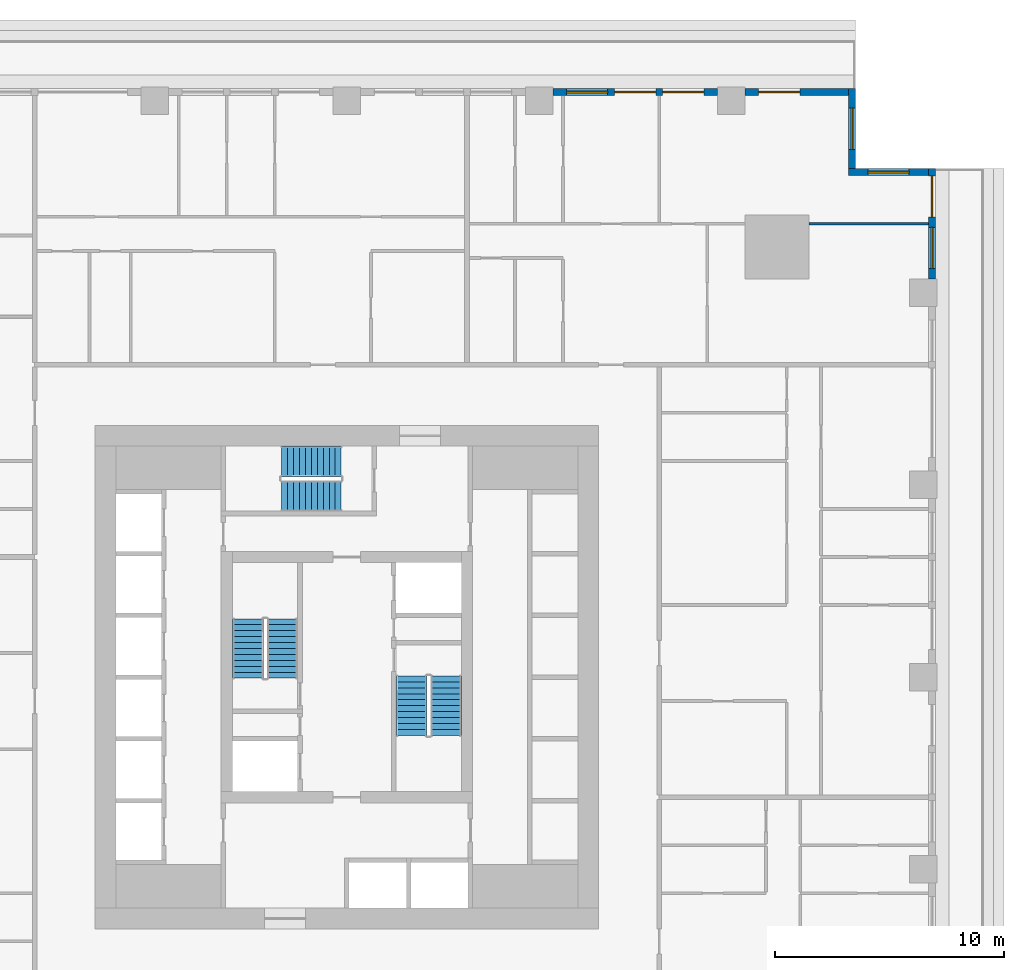
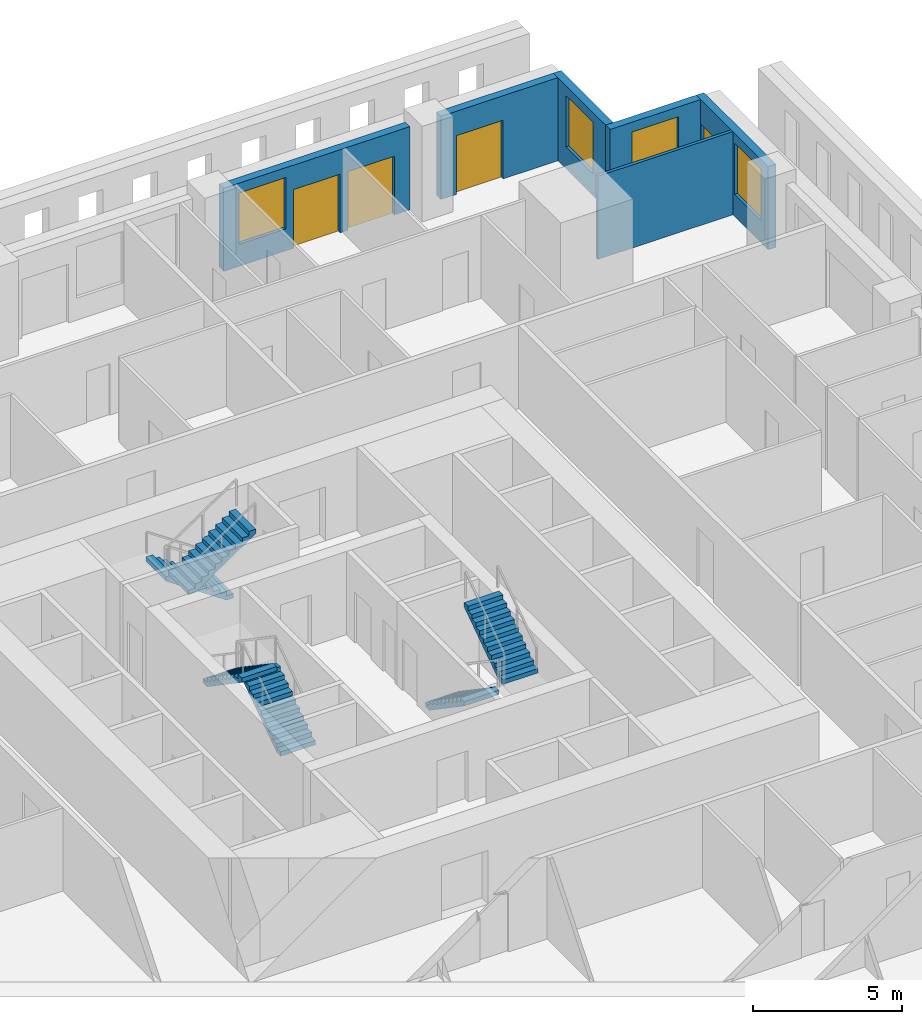
# One storey, part 9 of 14: 6 stair flights, 6 walls, 4 doors, 4 windows, 8 openings, 3 elements without a shape of their own.
"""IFC4 building model written with IfcOpenShell, lengths in metres."""

from ifc_helpers import new_model, si_unit, direction, frame, frame_2d, origin, place, context, subcontext, project, spatial, polyline, rectangle, outline, extrude, material, layer, layer_set, type_object, element, fill, aggregate, save


model = new_model("IFC4")

# Units and contexts
model_context = context("Model", 3, precision=1e-05, world=origin(), true_north=direction((0.0, 1.0)))
body_context = subcontext(model_context, "Body", "Model", "MODEL_VIEW")
ifc_project = project(units=[si_unit("LENGTHUNIT", "METRE"), si_unit("AREAUNIT", "SQUARE_METRE"), si_unit("VOLUMEUNIT", "CUBIC_METRE"), si_unit("PLANEANGLEUNIT", "RADIAN"), si_unit("MASSUNIT", "GRAM", prefix="KILO")], contexts=[model_context])

# Site, building, storey
site_placement = place(None, origin())
site = spatial("IfcSite", under=ifc_project, at=site_placement, CompositionType="ELEMENT")
building_placement = place(site_placement, origin())
building = spatial("IfcBuilding", under=site, at=building_placement, Name="Khepri Terraces", CompositionType="ELEMENT")
storey_placement = place(building_placement, frame((0.0, 0.0, 122.10009765625)))
storey = spatial("IfcBuildingStorey", under=building, at=storey_placement, Name="L29", CompositionType="ELEMENT", Elevation=122.10009765625)

# Wall, openings, door, window
ifc_material_1 = material(Name="Precast concrete C50/60 warm stone", Category="masonry")
ifc_layer_1 = layer(ifc_material_1, 0.300048828125, Name="Precast concrete C50/60 warm stone", Category="masonry")
ifc_layer_set_1 = layer_set([ifc_layer_1], Name="Precast concrete C50/60 warm stone")
wall_type_1 = type_object("IfcWallType", Name="WL-EXT-PRECAST-300", PredefinedType="STANDARD", material=ifc_layer_set_1)
wall_1_placement = place(storey_placement, frame((25.570068359375, 17.39990234375, 0.0), z_axis=(0.0, 0.0, 1.0), x_axis=(0.0, 1.0, 0.0)))
wall_1 = element("IfcWall", 1, at=wall_1_placement, inside=storey, type_object=wall_type_1, Name="External wall L29 E", PredefinedType="STANDARD", context=body_context, shape_type="SweptSolid", body=[
    extrude(rectangle(XDim=4.820068359375, YDim=0.300048828125, at=frame_2d((2.41015625, 0.0))), origin(), (0.0, 0.0, 1.0), 3.39990234375),
])
opening_1_placement = place(wall_1_placement, frame((2.699951171875, 0.0, 0.0)))
opening_1 = element("IfcOpeningElement", 2, at=opening_1_placement, cuts=wall_1, Name="Opening ED-L29-07", PredefinedType="OPENING", context=body_context, shape_type="SweptSolid", body=[
    extrude(rectangle(XDim=1.800048828125, YDim=2.39990234375, at=frame_2d((0.89990234375, 1.199951171875))), frame((0.0, 0.16015625, 0.0), z_axis=(0.0, -1.0, 0.0), x_axis=(1.0, 0.0, 0.0)), (0.0, 0.0, 1.0), 0.320068359375),
])
opening_2_placement = place(wall_1_placement, frame((0.4599609375, 0.0, 0.89990234375)))
opening_2 = element("IfcOpeningElement", 3, at=opening_2_placement, cuts=wall_1, Name="Opening W1", PredefinedType="OPENING", context=body_context, shape_type="SweptSolid", body=[
    extrude(rectangle(XDim=1.800048828125, YDim=2.10009765625, at=frame_2d((0.89990234375, 1.050048828125))), frame((0.0, 0.16015625, 0.0), z_axis=(0.0, -1.0, 0.0), x_axis=(1.0, 0.0, 0.0)), (0.0, 0.0, 1.0), 0.320068359375),
])
ifc_material_2 = material(Name="Anodised aluminium bronze glazed door", Category="aluminium")
door_type = type_object("IfcDoorType", Name="DR-BAL-SLIDE-1800x2400", OperationType="NOTDEFINED", PredefinedType="DOOR", material=ifc_material_2)
door_1_placement = place(opening_1_placement, origin())
door_1 = element("IfcDoor", 4, at=door_1_placement, inside=storey, type_object=door_type, Name="Balcony door L29 E", OperationType="SLIDING_TO_LEFT", OverallHeight=2.39990234375, OverallWidth=1.800048828125, PredefinedType="DOOR", context=body_context, shape_type="SweptSolid", body=[
    extrude(rectangle(XDim=1.800048828125, YDim=2.39990234375, at=frame_2d((0.89990234375, 1.199951171875))), frame((0.0, 0.02490234375, 0.0), z_axis=(0.0, -1.0, 0.0), x_axis=(1.0, 0.0, 0.0)), (0.0, 0.0, 1.0), 0.050048828125),
])
fill(opening_1, door_1)
ifc_material_3 = material(Name="Clear glass", Category="glass")
window_type = type_object("IfcWindowType", Name="WIN-RES-1800x2100", PartitioningType="SINGLE_PANEL", PredefinedType="WINDOW", material=ifc_material_3)
window_1_placement = place(opening_2_placement, origin())
window_1 = element("IfcWindow", 5, at=window_1_placement, inside=storey, type_object=window_type, Name="Window L29 E", OverallHeight=2.10009765625, OverallWidth=1.800048828125, PartitioningType="SINGLE_PANEL", PredefinedType="WINDOW", context=body_context, shape_type="SweptSolid", body=[
    extrude(rectangle(XDim=1.800048828125, YDim=2.10009765625, at=frame_2d((0.89990234375, 1.050048828125))), frame((0.0, 0.030029296875, 0.0), z_axis=(0.0, -1.0, 0.0), x_axis=(1.0, 0.0, 0.0)), (0.0, 0.0, 1.0), 0.06005859375),
])
fill(opening_2, window_1)

# Wall, opening, window
wall_2_placement = place(storey_placement, frame((25.419921875, 22.070068359375, 0.0), z_axis=(0.0, 0.0, 1.0), x_axis=(-1.0, 0.0, 0.0)))
wall_2 = element("IfcWall", 6, at=wall_2_placement, inside=storey, type_object=wall_type_1, Name="External wall L29 N", PredefinedType="STANDARD", context=body_context, shape_type="SweptSolid", body=[
    extrude(rectangle(XDim=3.5, YDim=0.300048828125, at=frame_2d((1.75, 0.0))), origin(), (0.0, 0.0, 1.0), 3.39990234375),
])
opening_3_placement = place(wall_2_placement, frame((0.85009765625, 0.0, 0.89990234375)))
opening_3 = element("IfcOpeningElement", 7, at=opening_3_placement, cuts=wall_2, Name="Opening W1", PredefinedType="OPENING", context=body_context, shape_type="SweptSolid", body=[
    extrude(rectangle(XDim=1.800048828125, YDim=2.10009765625, at=frame_2d((0.89990234375, 1.050048828125))), frame((0.0, 0.16015625, 0.0), z_axis=(0.0, -1.0, 0.0), x_axis=(1.0, 0.0, 0.0)), (0.0, 0.0, 1.0), 0.320068359375),
])
window_2_placement = place(opening_3_placement, origin())
window_2 = element("IfcWindow", 8, at=window_2_placement, inside=storey, type_object=window_type, Name="Window L29 N", OverallHeight=2.10009765625, OverallWidth=1.800048828125, PartitioningType="SINGLE_PANEL", PredefinedType="WINDOW", context=body_context, shape_type="SweptSolid", body=[
    extrude(rectangle(XDim=1.800048828125, YDim=2.10009765625, at=frame_2d((0.89990234375, 1.050048828125))), frame((0.0, 0.030029296875, 0.0), z_axis=(0.0, -1.0, 0.0), x_axis=(1.0, 0.0, 0.0)), (0.0, 0.0, 1.0), 0.06005859375),
])
fill(opening_3, window_2)

wall_3_placement = place(storey_placement, frame((22.070068359375, 22.219970703125, 0.0), z_axis=(0.0, 0.0, 1.0), x_axis=(0.0, 1.0, 0.0)))
wall_3 = element("IfcWall", 9, at=wall_3_placement, inside=storey, type_object=wall_type_1, Name="External wall L29 E", PredefinedType="STANDARD", context=body_context, shape_type="SweptSolid", body=[
    extrude(rectangle(XDim=3.5, YDim=0.300048828125, at=frame_2d((1.75, 0.0))), origin(), (0.0, 0.0, 1.0), 3.39990234375),
])
opening_4_placement = place(wall_3_placement, frame((0.85009765625, 0.0, 0.89990234375)))
opening_4 = element("IfcOpeningElement", 10, at=opening_4_placement, cuts=wall_3, Name="Opening W1", PredefinedType="OPENING", context=body_context, shape_type="SweptSolid", body=[
    extrude(rectangle(XDim=1.800048828125, YDim=2.10009765625, at=frame_2d((0.89990234375, 1.050048828125))), frame((0.0, 0.16015625, 0.0), z_axis=(0.0, -1.0, 0.0), x_axis=(1.0, 0.0, 0.0)), (0.0, 0.0, 1.0), 0.320068359375),
])
window_3_placement = place(opening_4_placement, origin())
window_3 = element("IfcWindow", 11, at=window_3_placement, inside=storey, type_object=window_type, Name="Window L29 E", OverallHeight=2.10009765625, OverallWidth=1.800048828125, PartitioningType="SINGLE_PANEL", PredefinedType="WINDOW", context=body_context, shape_type="SweptSolid", body=[
    extrude(rectangle(XDim=1.800048828125, YDim=2.10009765625, at=frame_2d((0.89990234375, 1.050048828125))), frame((0.0, 0.030029296875, 0.0), z_axis=(0.0, -1.0, 0.0), x_axis=(1.0, 0.0, 0.0)), (0.0, 0.0, 1.0), 0.06005859375),
])
fill(opening_4, window_3)

# Wall, opening, door
wall_4_placement = place(storey_placement, frame((21.919921875, 25.570068359375, 0.0), z_axis=(0.0, 0.0, 1.0), x_axis=(-1.0, 0.0, 0.0)))
wall_4 = element("IfcWall", 12, at=wall_4_placement, inside=storey, type_object=wall_type_1, Name="External wall L29 N", PredefinedType="STANDARD", context=body_context, shape_type="SweptSolid", body=[
    extrude(rectangle(XDim=4.52001953125, YDim=0.300048828125, at=frame_2d((2.260009765625, 0.0))), origin(), (0.0, 0.0, 1.0), 3.39990234375),
])
opening_5_placement = place(wall_4_placement, frame((2.1201171875, 0.0, 0.0)))
opening_5 = element("IfcOpeningElement", 13, at=opening_5_placement, cuts=wall_4, Name="Opening ED-L29-08", PredefinedType="OPENING", context=body_context, shape_type="SweptSolid", body=[
    extrude(rectangle(XDim=1.800048828125, YDim=2.39990234375, at=frame_2d((0.89990234375, 1.199951171875))), frame((0.0, 0.16015625, 0.0), z_axis=(0.0, -1.0, 0.0), x_axis=(1.0, 0.0, 0.0)), (0.0, 0.0, 1.0), 0.320068359375),
])
door_2_placement = place(opening_5_placement, origin())
door_2 = element("IfcDoor", 14, at=door_2_placement, inside=storey, type_object=door_type, Name="Balcony door L29 N", OperationType="SLIDING_TO_RIGHT", OverallHeight=2.39990234375, OverallWidth=1.800048828125, PredefinedType="DOOR", context=body_context, shape_type="SweptSolid", body=[
    extrude(rectangle(XDim=1.800048828125, YDim=2.39990234375, at=frame_2d((0.89990234375, 1.199951171875))), frame((0.0, 0.02490234375, 0.0), z_axis=(0.0, -1.0, 0.0), x_axis=(1.0, 0.0, 0.0)), (0.0, 0.0, 1.0), 0.050048828125),
])
fill(opening_5, door_2)

# Wall, openings, doors, window
wall_5_placement = place(storey_placement, frame((16.199951171875, 25.570068359375, 0.0), z_axis=(0.0, 0.0, 1.0), x_axis=(-1.0, 0.0, 0.0)))
wall_5 = element("IfcWall", 15, at=wall_5_placement, inside=storey, type_object=wall_type_1, Name="External wall L29 N", PredefinedType="STANDARD", context=body_context, shape_type="SweptSolid", body=[
    extrude(rectangle(XDim=7.199951171875, YDim=0.300048828125, at=frame_2d((3.60009765625, 0.0))), origin(), (0.0, 0.0, 1.0), 3.39990234375),
])
opening_6_placement = place(wall_5_placement, frame((0.60009765625, 0.0, 0.0)))
opening_6 = element("IfcOpeningElement", 16, at=opening_6_placement, cuts=wall_5, Name="Opening ED-L29-09", PredefinedType="OPENING", context=body_context, shape_type="SweptSolid", body=[
    extrude(rectangle(XDim=1.800048828125, YDim=2.39990234375, at=frame_2d((0.89990234375, 1.199951171875))), frame((0.0, 0.16015625, 0.0), z_axis=(0.0, -1.0, 0.0), x_axis=(1.0, 0.0, 0.0)), (0.0, 0.0, 1.0), 0.320068359375),
])
opening_7_placement = place(wall_5_placement, frame((2.699951171875, 0.0, 0.0)))
opening_7 = element("IfcOpeningElement", 17, at=opening_7_placement, cuts=wall_5, Name="Opening ED-L29-10", PredefinedType="OPENING", context=body_context, shape_type="SweptSolid", body=[
    extrude(rectangle(XDim=1.800048828125, YDim=2.39990234375, at=frame_2d((0.89990234375, 1.199951171875))), frame((0.0, 0.16015625, 0.0), z_axis=(0.0, -1.0, 0.0), x_axis=(1.0, 0.0, 0.0)), (0.0, 0.0, 1.0), 0.320068359375),
])
opening_8_placement = place(wall_5_placement, frame((4.800048828125, 0.0, 0.89990234375)))
opening_8 = element("IfcOpeningElement", 18, at=opening_8_placement, cuts=wall_5, Name="Opening W1", PredefinedType="OPENING", context=body_context, shape_type="SweptSolid", body=[
    extrude(rectangle(XDim=1.800048828125, YDim=2.10009765625, at=frame_2d((0.89990234375, 1.050048828125))), frame((0.0, 0.16015625, 0.0), z_axis=(0.0, -1.0, 0.0), x_axis=(1.0, 0.0, 0.0)), (0.0, 0.0, 1.0), 0.320068359375),
])
door_3_placement = place(opening_6_placement, origin())
door_3 = element("IfcDoor", 19, at=door_3_placement, inside=storey, type_object=door_type, Name="Balcony door L29 N", OperationType="SLIDING_TO_LEFT", OverallHeight=2.39990234375, OverallWidth=1.800048828125, PredefinedType="DOOR", context=body_context, shape_type="SweptSolid", body=[
    extrude(rectangle(XDim=1.800048828125, YDim=2.39990234375, at=frame_2d((0.89990234375, 1.199951171875))), frame((0.0, 0.02490234375, 0.0), z_axis=(0.0, -1.0, 0.0), x_axis=(1.0, 0.0, 0.0)), (0.0, 0.0, 1.0), 0.050048828125),
])
fill(opening_6, door_3)
door_4_placement = place(opening_7_placement, origin())
door_4 = element("IfcDoor", 20, at=door_4_placement, inside=storey, type_object=door_type, Name="Balcony door L29 N", OperationType="SLIDING_TO_RIGHT", OverallHeight=2.39990234375, OverallWidth=1.800048828125, PredefinedType="DOOR", context=body_context, shape_type="SweptSolid", body=[
    extrude(rectangle(XDim=1.800048828125, YDim=2.39990234375, at=frame_2d((0.89990234375, 1.199951171875))), frame((0.0, 0.02490234375, 0.0), z_axis=(0.0, -1.0, 0.0), x_axis=(1.0, 0.0, 0.0)), (0.0, 0.0, 1.0), 0.050048828125),
])
fill(opening_7, door_4)
window_4_placement = place(opening_8_placement, origin())
window_4 = element("IfcWindow", 21, at=window_4_placement, inside=storey, type_object=window_type, Name="Window L29 N", OverallHeight=2.10009765625, OverallWidth=1.800048828125, PartitioningType="SINGLE_PANEL", PredefinedType="WINDOW", context=body_context, shape_type="SweptSolid", body=[
    extrude(rectangle(XDim=1.800048828125, YDim=2.10009765625, at=frame_2d((0.89990234375, 1.050048828125))), frame((0.0, 0.030029296875, 0.0), z_axis=(0.0, -1.0, 0.0), x_axis=(1.0, 0.0, 0.0)), (0.0, 0.0, 1.0), 0.06005859375),
])
fill(opening_8, window_4)

# Wall
ifc_material_4 = material(Name="Gypsum plasterboard partition")
ifc_layer_2 = layer(ifc_material_4, 0.1201171875, Name="Gypsum plasterboard partition")
ifc_layer_set_2 = layer_set([ifc_layer_2], Name="Gypsum plasterboard partition")
wall_type_2 = type_object("IfcWallType", Name="WL-PART-120", PredefinedType="PARTITIONING", material=ifc_layer_set_2)
wall_6_placement = place(storey_placement, frame((20.199951171875, 19.820068359375, 0.0), z_axis=(0.0, 0.0, 1.0), x_axis=(1.0, 0.0, 0.0)))
element("IfcWall", 22, at=wall_6_placement, inside=storey, type_object=wall_type_2, Name="Partition P-087 L29", PredefinedType="PARTITIONING", context=body_context, shape_type="SweptSolid", body=[
    extrude(rectangle(XDim=5.219970703125, YDim=0.1201171875, at=frame_2d((2.60986328125, 0.0))), origin(), (0.0, 0.0, 1.0), 3.39990234375),
])

# Stair, stair flights
ifc_material_5 = material(Name="Concrete C40/50", Category="concrete")
stair_type = type_object("IfcStairType", Name="STAIR-RC-22R", PredefinedType="HALF_TURN_STAIR", material=ifc_material_5)
stair_1_placement = place(storey_placement, origin())
stair_1 = element("IfcStair", 23, at=stair_1_placement, inside=storey, type_object=stair_type, Name="L29 Exit Stair ST-1", PredefinedType="HALF_TURN_STAIR")
stair_flight_type = type_object("IfcStairFlightType", Name="SFL-RC-177.3", PredefinedType="STRAIGHT", material=ifc_material_5)
stair_flight_1_placement = place(storey_placement, frame((-2.824951171875, -0.050048828125, 0.0), z_axis=(0.0, 0.0, 1.0), x_axis=(0.0, 1.0, 0.0)))
stair_flight_1 = element("IfcStairFlight", 24, at=stair_flight_1_placement, type_object=stair_flight_type, Name="ST-1 flight 1", NumberOfRisers=11, NumberOfTreads=10, PredefinedType="STRAIGHT", RiserHeight=0.177272727, TreadLength=0.26, context=body_context, shape_type="SweptSolid", body=[
    extrude(outline(polyline([(0.0, 0.0), (0.0, 0.17724609375), (0.260009765625, 0.17724609375), (0.260009765625, 0.3544921875), (0.52001953125, 0.3544921875), (0.52001953125, 0.53173828125), (0.780029296875, 0.53173828125), (0.780029296875, 0.708984375), (1.0400390625, 0.708984375), (1.0400390625, 0.886474609375), (1.300048828125, 0.886474609375), (1.300048828125, 1.063720703125), (1.56005859375, 1.063720703125), (1.56005859375, 1.240966796875), (1.820068359375, 1.240966796875), (1.820068359375, 1.418212890625), (2.080078125, 1.418212890625), (2.080078125, 1.595458984375), (2.340087890625, 1.595458984375), (2.340087890625, 1.772705078125), (2.60009765625, 1.772705078125), (2.60009765625, 1.949951171875), (2.60009765625, 1.59130859375), (0.26611328125, 0.0), (0.0, 0.0)])), frame((0.0, 0.675048828125, 0.0), z_axis=(0.0, -1.0, 0.0), x_axis=(1.0, 0.0, 0.0)), (0.0, 0.0, 1.0), 1.35009765625),
])
stair_flight_2_placement = place(storey_placement, frame((-4.324951171875, 2.550048828125, 1.949951171875), z_axis=(0.0, 0.0, 1.0), x_axis=(0.0, -1.0, 0.0)))
stair_flight_2 = element("IfcStairFlight", 25, at=stair_flight_2_placement, type_object=stair_flight_type, Name="ST-1 flight 2", NumberOfRisers=11, NumberOfTreads=10, PredefinedType="STRAIGHT", RiserHeight=0.177272727, TreadLength=0.26, context=body_context, shape_type="SweptSolid", body=[
    extrude(outline(polyline([(0.0, 0.0), (0.0, 0.17724609375), (0.260009765625, 0.17724609375), (0.260009765625, 0.3544921875), (0.52001953125, 0.3544921875), (0.52001953125, 0.53173828125), (0.780029296875, 0.53173828125), (0.780029296875, 0.708984375), (1.0400390625, 0.708984375), (1.0400390625, 0.886474609375), (1.300048828125, 0.886474609375), (1.300048828125, 1.063720703125), (1.56005859375, 1.063720703125), (1.56005859375, 1.240966796875), (1.820068359375, 1.240966796875), (1.820068359375, 1.418212890625), (2.080078125, 1.418212890625), (2.080078125, 1.595458984375), (2.340087890625, 1.595458984375), (2.340087890625, 1.772705078125), (2.60009765625, 1.772705078125), (2.60009765625, 1.949951171875), (2.60009765625, 1.59130859375), (0.26611328125, 0.0), (0.0, 0.0)])), frame((0.0, 0.675048828125, 0.0), z_axis=(0.0, -1.0, 0.0), x_axis=(1.0, 0.0, 0.0)), (0.0, 0.0, 1.0), 1.35009765625),
])
aggregate(stair_1, [stair_flight_1, stair_flight_2])

stair_2_placement = place(storey_placement, origin())
stair_2 = element("IfcStair", 26, at=stair_2_placement, inside=storey, type_object=stair_type, Name="L29 Exit Stair ST-2", PredefinedType="HALF_TURN_STAIR")
stair_flight_3_placement = place(storey_placement, frame((2.824951171875, 0.050048828125, 0.0), z_axis=(0.0, 0.0, 1.0), x_axis=(0.0, -1.0, 0.0)))
stair_flight_3 = element("IfcStairFlight", 27, at=stair_flight_3_placement, type_object=stair_flight_type, Name="ST-2 flight 1", NumberOfRisers=11, NumberOfTreads=10, PredefinedType="STRAIGHT", RiserHeight=0.177272727, TreadLength=0.26, context=body_context, shape_type="SweptSolid", body=[
    extrude(outline(polyline([(0.0, 0.0), (0.0, 0.17724609375), (0.260009765625, 0.17724609375), (0.260009765625, 0.3544921875), (0.52001953125, 0.3544921875), (0.52001953125, 0.53173828125), (0.780029296875, 0.53173828125), (0.780029296875, 0.708984375), (1.0400390625, 0.708984375), (1.0400390625, 0.886474609375), (1.300048828125, 0.886474609375), (1.300048828125, 1.063720703125), (1.56005859375, 1.063720703125), (1.56005859375, 1.240966796875), (1.820068359375, 1.240966796875), (1.820068359375, 1.418212890625), (2.080078125, 1.418212890625), (2.080078125, 1.595458984375), (2.340087890625, 1.595458984375), (2.340087890625, 1.772705078125), (2.60009765625, 1.772705078125), (2.60009765625, 1.949951171875), (2.60009765625, 1.59130859375), (0.26611328125, 0.0), (0.0, 0.0)])), frame((0.0, 0.675048828125, 0.0), z_axis=(0.0, -1.0, 0.0), x_axis=(1.0, 0.0, 0.0)), (0.0, 0.0, 1.0), 1.35009765625),
])
stair_flight_4_placement = place(storey_placement, frame((4.324951171875, -2.550048828125, 1.949951171875), z_axis=(0.0, 0.0, 1.0), x_axis=(0.0, 1.0, 0.0)))
stair_flight_4 = element("IfcStairFlight", 28, at=stair_flight_4_placement, type_object=stair_flight_type, Name="ST-2 flight 2", NumberOfRisers=11, NumberOfTreads=10, PredefinedType="STRAIGHT", RiserHeight=0.177272727, TreadLength=0.26, context=body_context, shape_type="SweptSolid", body=[
    extrude(outline(polyline([(0.0, 0.0), (0.0, 0.17724609375), (0.260009765625, 0.17724609375), (0.260009765625, 0.3544921875), (0.52001953125, 0.3544921875), (0.52001953125, 0.53173828125), (0.780029296875, 0.53173828125), (0.780029296875, 0.708984375), (1.0400390625, 0.708984375), (1.0400390625, 0.886474609375), (1.300048828125, 0.886474609375), (1.300048828125, 1.063720703125), (1.56005859375, 1.063720703125), (1.56005859375, 1.240966796875), (1.820068359375, 1.240966796875), (1.820068359375, 1.418212890625), (2.080078125, 1.418212890625), (2.080078125, 1.595458984375), (2.340087890625, 1.595458984375), (2.340087890625, 1.772705078125), (2.60009765625, 1.772705078125), (2.60009765625, 1.949951171875), (2.60009765625, 1.59130859375), (0.26611328125, 0.0), (0.0, 0.0)])), frame((0.0, 0.675048828125, 0.0), z_axis=(0.0, -1.0, 0.0), x_axis=(1.0, 0.0, 0.0)), (0.0, 0.0, 1.0), 1.35009765625),
])
aggregate(stair_2, [stair_flight_3, stair_flight_4])

stair_3_placement = place(storey_placement, origin())
stair_3 = element("IfcStair", 29, at=stair_3_placement, inside=storey, type_object=stair_type, Name="L29 Exit Stair ST-3", PredefinedType="HALF_TURN_STAIR")
stair_flight_5_placement = place(storey_placement, frame((-0.25, 9.425048828125, 0.0), z_axis=(0.0, 0.0, 1.0), x_axis=(-1.0, 0.0, 0.0)))
stair_flight_5 = element("IfcStairFlight", 30, at=stair_flight_5_placement, type_object=stair_flight_type, Name="ST-3 flight 1", NumberOfRisers=11, NumberOfTreads=10, PredefinedType="STRAIGHT", RiserHeight=0.177272727, TreadLength=0.26, context=body_context, shape_type="SweptSolid", body=[
    extrude(outline(polyline([(0.0, 0.0), (0.0, 0.17724609375), (0.260009765625, 0.17724609375), (0.260009765625, 0.3544921875), (0.52001953125, 0.3544921875), (0.52001953125, 0.53173828125), (0.780029296875, 0.53173828125), (0.780029296875, 0.708984375), (1.0400390625, 0.708984375), (1.0400390625, 0.886474609375), (1.300048828125, 0.886474609375), (1.300048828125, 1.063720703125), (1.56005859375, 1.063720703125), (1.56005859375, 1.240966796875), (1.820068359375, 1.240966796875), (1.820068359375, 1.418212890625), (2.080078125, 1.418212890625), (2.080078125, 1.595458984375), (2.340087890625, 1.595458984375), (2.340087890625, 1.772705078125), (2.60009765625, 1.772705078125), (2.60009765625, 1.949951171875), (2.60009765625, 1.59130859375), (0.26611328125, 0.0), (0.0, 0.0)])), frame((0.0, 0.675048828125, 0.0), z_axis=(0.0, -1.0, 0.0), x_axis=(1.0, 0.0, 0.0)), (0.0, 0.0, 1.0), 1.35009765625),
])
stair_flight_6_placement = place(storey_placement, frame((-2.85009765625, 7.925048828125, 1.949951171875), z_axis=(0.0, 0.0, 1.0), x_axis=(1.0, 0.0, 0.0)))
stair_flight_6 = element("IfcStairFlight", 31, at=stair_flight_6_placement, type_object=stair_flight_type, Name="ST-3 flight 2", NumberOfRisers=11, NumberOfTreads=10, PredefinedType="STRAIGHT", RiserHeight=0.177272727, TreadLength=0.26, context=body_context, shape_type="SweptSolid", body=[
    extrude(outline(polyline([(0.0, 0.0), (0.0, 0.17724609375), (0.260009765625, 0.17724609375), (0.260009765625, 0.3544921875), (0.52001953125, 0.3544921875), (0.52001953125, 0.53173828125), (0.780029296875, 0.53173828125), (0.780029296875, 0.708984375), (1.0400390625, 0.708984375), (1.0400390625, 0.886474609375), (1.300048828125, 0.886474609375), (1.300048828125, 1.063720703125), (1.56005859375, 1.063720703125), (1.56005859375, 1.240966796875), (1.820068359375, 1.240966796875), (1.820068359375, 1.418212890625), (2.080078125, 1.418212890625), (2.080078125, 1.595458984375), (2.340087890625, 1.595458984375), (2.340087890625, 1.772705078125), (2.60009765625, 1.772705078125), (2.60009765625, 1.949951171875), (2.60009765625, 1.59130859375), (0.26611328125, 0.0), (0.0, 0.0)])), frame((0.0, 0.675048828125, 0.0), z_axis=(0.0, -1.0, 0.0), x_axis=(1.0, 0.0, 0.0)), (0.0, 0.0, 1.0), 1.35009765625),
])
aggregate(stair_3, [stair_flight_5, stair_flight_6])

save(model, "model.ifc")
